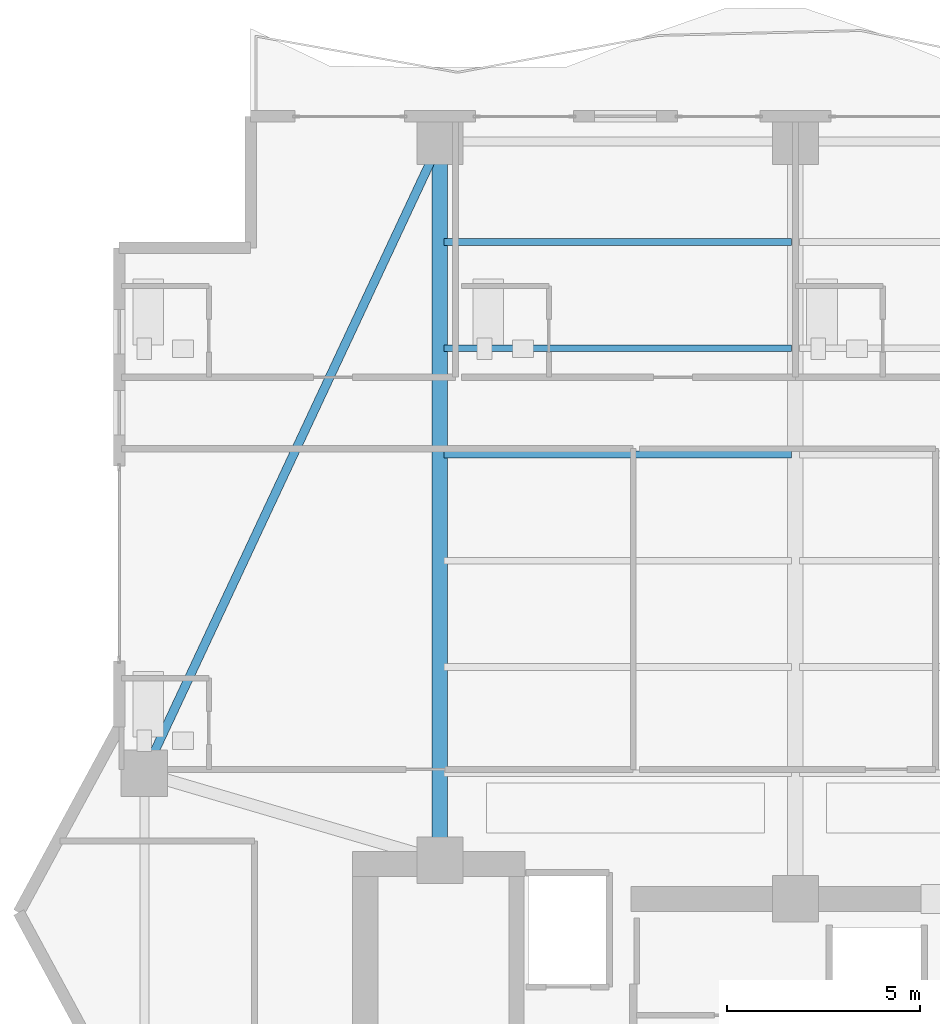
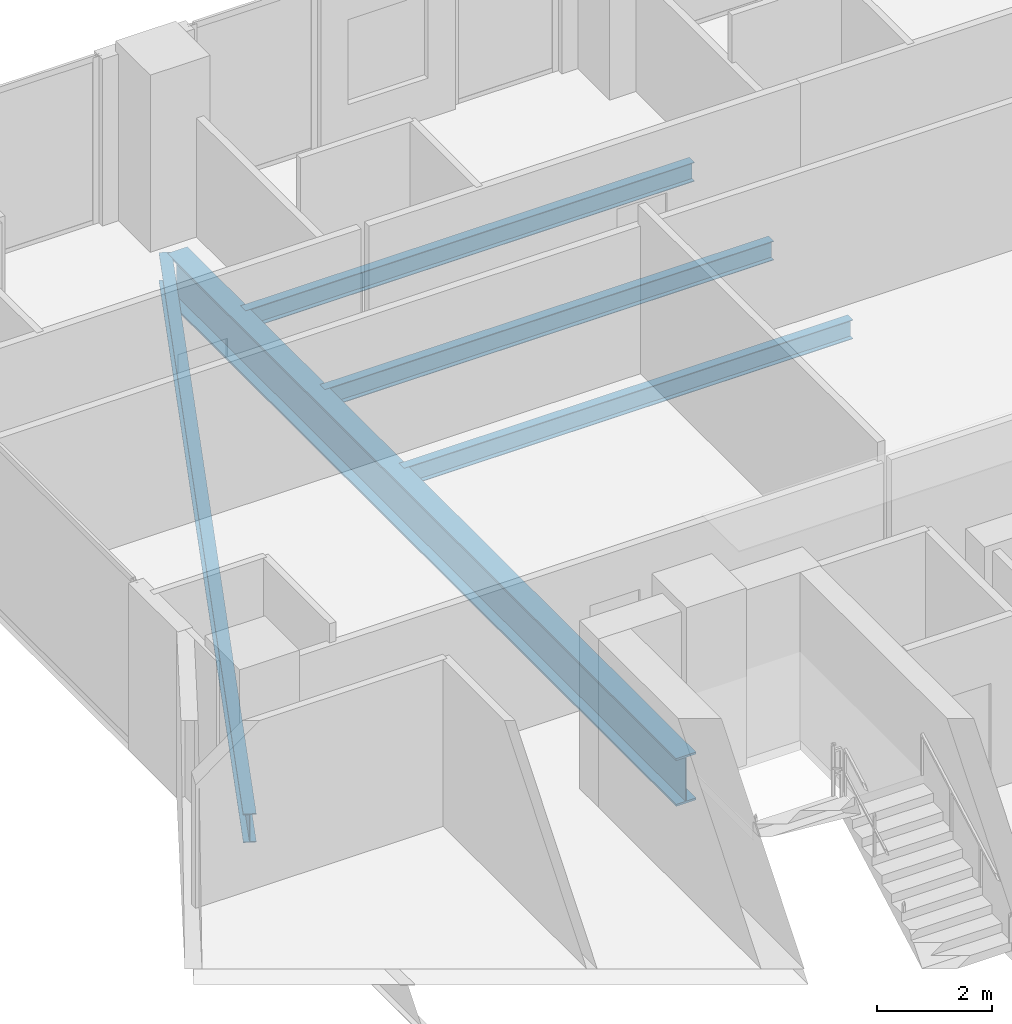
# One storey, part 17 of 32: 5 beams.
"""IFC4 building model written with IfcOpenShell, lengths in metres."""

from ifc_helpers import new_model, si_unit, direction, frame, origin, origin_2d, place, context, subcontext, project, spatial, i_section, extrude, material, material_profile, profile_set, type_object, element, save


model = new_model("IFC4")

# Units and contexts
model_context = context("Model", 3, precision=1e-05, world=origin(), true_north=direction((0.0, 1.0)))
body_context = subcontext(model_context, "Body", "Model", "MODEL_VIEW")
ifc_project = project(units=[si_unit("LENGTHUNIT", "METRE"), si_unit("AREAUNIT", "SQUARE_METRE"), si_unit("VOLUMEUNIT", "CUBIC_METRE"), si_unit("PLANEANGLEUNIT", "RADIAN"), si_unit("MASSUNIT", "GRAM", prefix="KILO")], contexts=[model_context])

# Site, building, storey
site_placement = place(None, origin())
site = spatial("IfcSite", under=ifc_project, at=site_placement, CompositionType="ELEMENT")
building_placement = place(site_placement, origin())
building = spatial("IfcBuilding", under=site, at=building_placement, Name="Zuhayl Quay Hotel", CompositionType="ELEMENT")
storey_placement = place(building_placement, frame((0.0, 0.0, 218.64990234375)))
storey = spatial("IfcBuildingStorey", under=building, at=storey_placement, Name="L55", CompositionType="ELEMENT", Elevation=218.64990234375)

# Beams
ifc_material = material(Name="Steel ASTM A992 Grade 50", Category="steel")
ifc_material_profile_1 = material_profile(ifc_material, i_section(OverallWidth=0.22802734375, OverallDepth=0.60693359375, WebThickness=0.01123046875, FlangeThickness=0.017333984375, at=origin_2d()), Name="W24X76")
ifc_profile_set_1 = profile_set([ifc_material_profile_1], Name="Steel ASTM A992 Grade 50")
beam_type_1 = type_object("IfcBeamType", Name="BM_B3_W24X76", PredefinedType="BEAM", material=ifc_profile_set_1)
beam_1_placement = place(storey_placement, frame((-14.011962890625, 32.4970703125, -0.5234375), z_axis=(-0.423792164429, -0.905759461098, 0.0), x_axis=(0.905759461098, -0.423792164429, 0.0)))
element("IfcBeam", 1, at=beam_1_placement, inside=storey, type_object=beam_type_1, Name="L55 Floor Beam RG_L55_10", PredefinedType="BEAM", context=body_context, shape_type="SweptSolid", body=[
    extrude(i_section(OverallWidth=0.22802734375, OverallDepth=0.60693359375, WebThickness=0.01123046875, FlangeThickness=0.017333984375, at=origin_2d()), origin(), (0.0, 0.0, 1.0), 17.051025390625),
])
ifc_material_profile_2 = material_profile(ifc_material, i_section(OverallWidth=0.177978515625, OverallDepth=0.406005859375, WebThickness=0.0078125, FlangeThickness=0.0126953125, at=origin_2d()), Name="W16X40")
ifc_profile_set_2 = profile_set([ifc_material_profile_2], Name="Steel ASTM A992 Grade 50")
beam_type_2 = type_object("IfcBeamType", Name="BM_J2B_W16X40", PredefinedType="JOIST", material=ifc_profile_set_2)
for number, where, z_axis, x_axis, name in (
    (2, (-13.694091796875, 24.85009765625, -0.4228515625), (1.0, 0.0, 0.0), (0.0, 1.0, 0.0), "L55 Floor Beam FJ_L55_4_1"),
    (3, (-13.694091796875, 27.60009765625, -0.4228515625), (1.0, 0.0, 0.0), (0.0, 1.0, 0.0), "L55 Floor Beam FJ_L55_5_1"),
    (4, (-13.694091796875, 30.35009765625, -0.4228515625), (1.0, 0.0, 0.0), (0.0, 1.0, 0.0), "L55 Floor Beam FJ_L55_6_1"),
):
    element("IfcBeam", number, at=place(storey_placement, frame(where, z_axis=z_axis, x_axis=x_axis)), inside=storey, type_object=beam_type_2, Name=name, PredefinedType="JOIST", context=body_context, shape_type="SweptSolid", body=[
        extrude(i_section(OverallWidth=0.177978515625, OverallDepth=0.406005859375, WebThickness=0.0078125, FlangeThickness=0.0126953125, at=origin_2d()), origin(), (0.0, 0.0, 1.0), 8.988037109375),
    ])
ifc_material_profile_3 = material_profile(ifc_material, i_section(OverallWidth=0.40087890625, OverallDepth=1.010986328125, WebThickness=0.023681640625, FlangeThickness=0.0419921875, at=origin_2d()), Name="W40X297")
ifc_profile_set_3 = profile_set([ifc_material_profile_3], Name="Steel ASTM A992 Grade 50")
beam_type_3 = type_object("IfcBeamType", Name="BM_TG2_W40X297", PredefinedType="BEAM", material=ifc_profile_set_3)
beam_2_placement = place(storey_placement, frame((-13.800048828125, 14.800048828125, -0.725341796875), z_axis=(0.0, 1.0, 0.0), x_axis=(-1.0, 0.0, 0.0)))
element("IfcBeam", 5, at=beam_2_placement, inside=storey, type_object=beam_type_3, Name="L55 Floor Beam FG_N_L55_1", PredefinedType="BEAM", context=body_context, shape_type="SweptSolid", body=[
    extrude(i_section(OverallWidth=0.40087890625, OverallDepth=1.010986328125, WebThickness=0.023681640625, FlangeThickness=0.0419921875, at=origin_2d()), origin(), (0.0, 0.0, 1.0), 17.64990234375),
])

save(model, "model.ifc")
